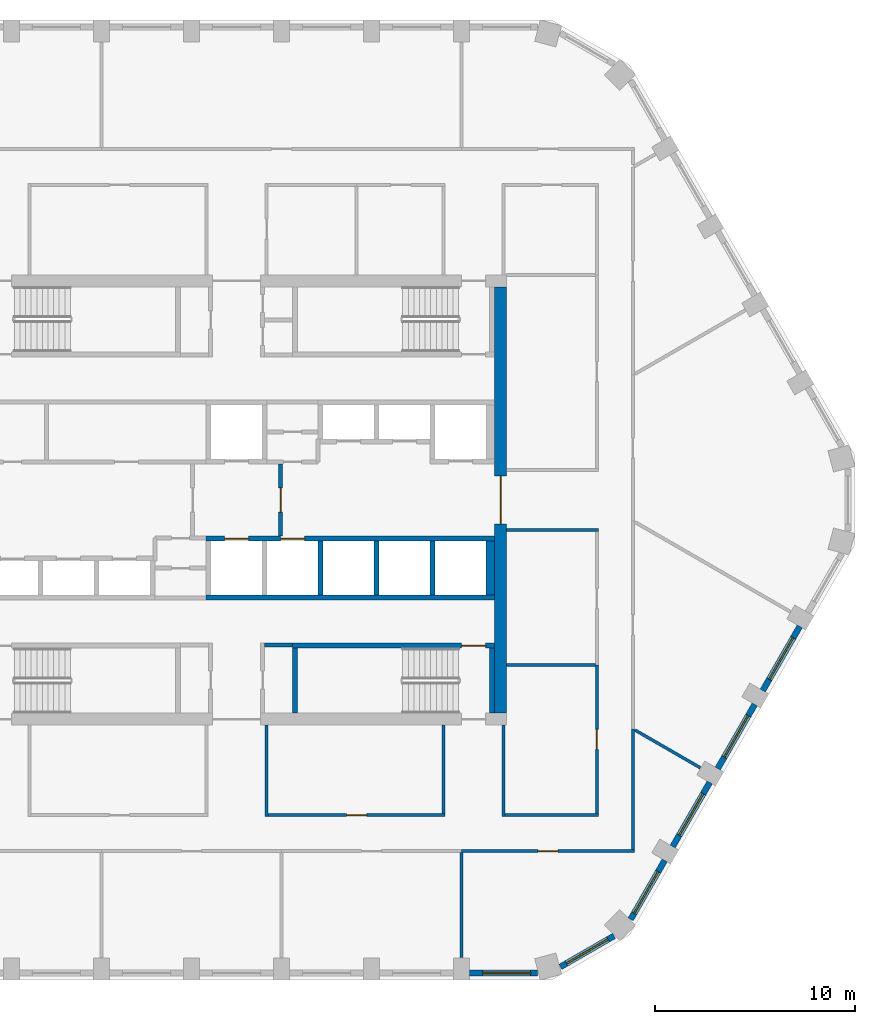
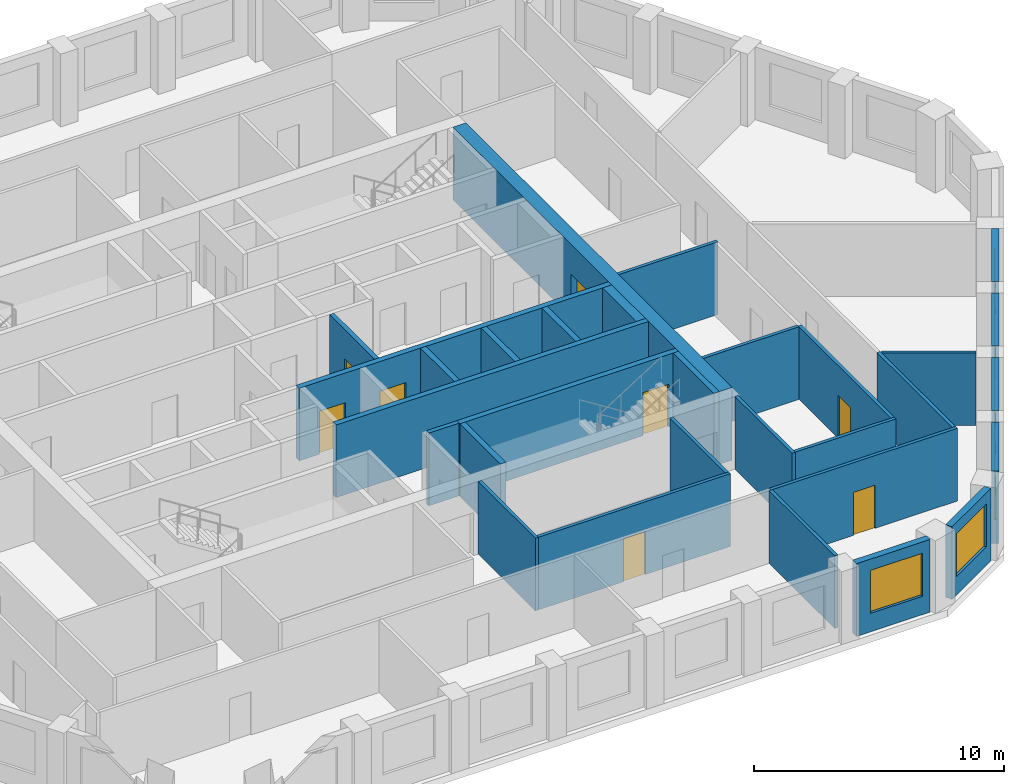
# One storey, part 4 of 9: 30 walls, 8 doors, 6 windows, 14 openings.
"""IFC4 building model written with IfcOpenShell, lengths in metres."""

from ifc_helpers import new_model, si_unit, direction, frame, frame_2d, origin, place, context, subcontext, project, spatial, polyline, rectangle, outline, extrude, material, layer, layer_set, type_object, element, fill, save


model = new_model("IFC4")

# Units and contexts
model_context = context("Model", 3, precision=1e-05, world=origin(), true_north=direction((0.0, 1.0)))
body_context = subcontext(model_context, "Body", "Model", "MODEL_VIEW")
ifc_project = project(units=[si_unit("LENGTHUNIT", "METRE"), si_unit("AREAUNIT", "SQUARE_METRE"), si_unit("VOLUMEUNIT", "CUBIC_METRE"), si_unit("PLANEANGLEUNIT", "RADIAN"), si_unit("MASSUNIT", "GRAM", prefix="KILO")], contexts=[model_context])

# Site, building, storey
site_placement = place(None, origin())
site = spatial("IfcSite", under=ifc_project, at=site_placement, CompositionType="ELEMENT")
building_placement = place(site_placement, origin())
building = spatial("IfcBuilding", under=site, at=building_placement, Name="Dhurran Vertical Campus", CompositionType="ELEMENT")
storey_placement = place(building_placement, frame((0.0, 0.0, 203.39990234375)))
storey = spatial("IfcBuildingStorey", under=building, at=storey_placement, Name="L50", CompositionType="ELEMENT", Elevation=203.39990234375)

# Wall, opening, window
ifc_material_1 = material(Name="Precast concrete C50/60", Category="concrete")
ifc_layer_1 = layer(ifc_material_1, 0.300048828125)
ifc_layer_set_1 = layer_set([ifc_layer_1], Name="Precast concrete C50/60")
wall_type_1 = type_object("IfcWallType", Name="Precast spandrel wall 300", PredefinedType="SOLIDWALL", material=ifc_layer_set_1)
wall_1_placement = place(storey_placement, frame((11.650390625, -23.635498046875, 0.0), z_axis=(0.0, 0.0, 1.0), x_axis=(1.0, 0.0, 0.0)))
wall_1 = element("IfcWall", 1, at=wall_1_placement, inside=storey, type_object=wall_type_1, Name="EW1 L50.06", PredefinedType="SOLIDWALL", context=body_context, shape_type="SweptSolid", body=[
    extrude(rectangle(XDim=3.39599609375, YDim=0.300048828125, at=frame_2d((1.697998046875, 0.0))), origin(), (0.0, 0.0, 1.0), 3.550048828125),
])
opening_1_placement = place(wall_1_placement, frame((0.6494140625, 0.0, 0.89990234375)))
opening_1 = element("IfcOpeningElement", 2, at=opening_1_placement, cuts=wall_1, Name="Opening WT1", PredefinedType="OPENING", context=body_context, shape_type="SweptSolid", body=[
    extrude(rectangle(XDim=2.39990234375, YDim=2.10009765625, at=frame_2d((1.199951171875, 1.050048828125))), frame((0.0, 0.159912109375, 0.0), z_axis=(0.0, -1.0, 0.0), x_axis=(1.0, 0.0, 0.0)), (0.0, 0.0, 1.0), 0.320068359375),
])
ifc_material_2 = material(Name="Aluminium frame with solar-control glass", Category="aluminium")
window_type = type_object("IfcWindowType", Name="Punched window 2400 x 2100", PartitioningType="SINGLE_PANEL", PredefinedType="WINDOW", material=ifc_material_2)
window_1_placement = place(opening_1_placement, origin())
window_1 = element("IfcWindow", 3, at=window_1_placement, inside=storey, type_object=window_type, Name="WT1 L50.06", OverallHeight=2.10009765625, OverallWidth=2.39990234375, PartitioningType="SINGLE_PANEL", PredefinedType="WINDOW", context=body_context, shape_type="SweptSolid", body=[
    extrude(rectangle(XDim=2.39990234375, YDim=2.10009765625, at=frame_2d((1.199951171875, 1.050048828125))), frame((0.0, 0.030029296875, 0.0), z_axis=(0.0, -1.0, 0.0), x_axis=(1.0, 0.0, 0.0)), (0.0, 0.0, 1.0), 0.06005859375),
])
fill(opening_1, window_1)

wall_2_placement = place(storey_placement, frame((16.184326171875, -23.330810546875, 0.0), z_axis=(0.0, 0.0, 1.0), x_axis=(0.865994975416, 0.500052699777, 0.0)))
wall_2 = element("IfcWall", 4, at=wall_2_placement, inside=storey, type_object=wall_type_1, Name="EW1 L50.07", PredefinedType="SOLIDWALL", context=body_context, shape_type="SweptSolid", body=[
    extrude(rectangle(XDim=3.093017578125, YDim=0.300048828125, at=frame_2d((1.54638671875, 0.0))), origin(), (0.0, 0.0, 1.0), 3.550048828125),
])
opening_2_placement = place(wall_2_placement, frame((0.346435546875, 0.0, 0.89990234375)))
opening_2 = element("IfcOpeningElement", 5, at=opening_2_placement, cuts=wall_2, Name="Opening WT1", PredefinedType="OPENING", context=body_context, shape_type="SweptSolid", body=[
    extrude(rectangle(XDim=2.39990234375, YDim=2.10009765625, at=frame_2d((1.199951171875, 1.050048828125))), frame((0.0, 0.159912109375, 0.0), z_axis=(0.0, -1.0, 0.0), x_axis=(1.0, 0.0, 0.0)), (0.0, 0.0, 1.0), 0.320068359375),
])
window_2_placement = place(opening_2_placement, origin())
window_2 = element("IfcWindow", 6, at=window_2_placement, inside=storey, type_object=window_type, Name="WT1 L50.07", OverallHeight=2.10009765625, OverallWidth=2.39990234375, PartitioningType="SINGLE_PANEL", PredefinedType="WINDOW", context=body_context, shape_type="SweptSolid", body=[
    extrude(rectangle(XDim=2.39990234375, YDim=2.10009765625, at=frame_2d((1.199951171875, 1.050048828125))), frame((0.0, 0.030029296875, 0.0), z_axis=(0.0, -1.0, 0.0), x_axis=(1.0, 0.0, 0.0)), (0.0, 0.0, 1.0), 0.06005859375),
])
fill(opening_2, window_2)

wall_3_placement = place(storey_placement, frame((19.69580078125, -20.951171875, 0.0), z_axis=(0.0, 0.0, 1.0), x_axis=(0.500012868213, 0.866017974191, 0.0)))
wall_3 = element("IfcWall", 7, at=wall_3_placement, inside=storey, type_object=wall_type_1, Name="EW1 L50.08", PredefinedType="SOLIDWALL", context=body_context, shape_type="SweptSolid", body=[
    extrude(rectangle(XDim=3.39599609375, YDim=0.300048828125, at=frame_2d((1.697998046875, 0.0))), origin(), (0.0, 0.0, 1.0), 3.550048828125),
])
opening_3_placement = place(wall_3_placement, frame((0.346435546875, 0.0, 0.89990234375)))
opening_3 = element("IfcOpeningElement", 8, at=opening_3_placement, cuts=wall_3, Name="Opening WT1", PredefinedType="OPENING", context=body_context, shape_type="SweptSolid", body=[
    extrude(rectangle(XDim=2.39990234375, YDim=2.10009765625, at=frame_2d((1.199951171875, 1.050048828125))), frame((0.0, 0.159912109375, 0.0), z_axis=(0.0, -1.0, 0.0), x_axis=(1.0, 0.0, 0.0)), (0.0, 0.0, 1.0), 0.320068359375),
])
window_3_placement = place(opening_3_placement, origin())
window_3 = element("IfcWindow", 9, at=window_3_placement, inside=storey, type_object=window_type, Name="WT1 L50.08", OverallHeight=2.10009765625, OverallWidth=2.39990234375, PartitioningType="SINGLE_PANEL", PredefinedType="WINDOW", context=body_context, shape_type="SweptSolid", body=[
    extrude(rectangle(XDim=2.39990234375, YDim=2.10009765625, at=frame_2d((1.199951171875, 1.050048828125))), frame((0.0, 0.030029296875, 0.0), z_axis=(0.0, -1.0, 0.0), x_axis=(1.0, 0.0, 0.0)), (0.0, 0.0, 1.0), 0.06005859375),
])
fill(opening_3, window_3)

wall_4_placement = place(storey_placement, frame((21.794189453125, -17.316650390625, 0.0), z_axis=(0.0, 0.0, 1.0), x_axis=(0.500029062817, 0.866008623709, 0.0)))
wall_4 = element("IfcWall", 10, at=wall_4_placement, inside=storey, type_object=wall_type_1, Name="EW1 L50.09", PredefinedType="SOLIDWALL", context=body_context, shape_type="SweptSolid", body=[
    extrude(rectangle(XDim=3.698974609375, YDim=0.300048828125, at=frame_2d((1.849609375, 0.0))), origin(), (0.0, 0.0, 1.0), 3.550048828125),
])
opening_4_placement = place(wall_4_placement, frame((0.6494140625, 0.0, 0.89990234375)))
opening_4 = element("IfcOpeningElement", 11, at=opening_4_placement, cuts=wall_4, Name="Opening WT1", PredefinedType="OPENING", context=body_context, shape_type="SweptSolid", body=[
    extrude(rectangle(XDim=2.39990234375, YDim=2.10009765625, at=frame_2d((1.199951171875, 1.050048828125))), frame((0.0, 0.159912109375, 0.0), z_axis=(0.0, -1.0, 0.0), x_axis=(1.0, 0.0, 0.0)), (0.0, 0.0, 1.0), 0.320068359375),
])
window_4_placement = place(opening_4_placement, origin())
window_4 = element("IfcWindow", 12, at=window_4_placement, inside=storey, type_object=window_type, Name="WT1 L50.09", OverallHeight=2.10009765625, OverallWidth=2.39990234375, PartitioningType="SINGLE_PANEL", PredefinedType="WINDOW", context=body_context, shape_type="SweptSolid", body=[
    extrude(rectangle(XDim=2.39990234375, YDim=2.10009765625, at=frame_2d((1.199951171875, 1.050048828125))), frame((0.0, 0.030029296875, 0.0), z_axis=(0.0, -1.0, 0.0), x_axis=(1.0, 0.0, 0.0)), (0.0, 0.0, 1.0), 0.06005859375),
])
fill(opening_4, window_4)

wall_5_placement = place(storey_placement, frame((24.044189453125, -13.41943359375, 0.0), z_axis=(0.0, 0.0, 1.0), x_axis=(0.500029062817, 0.866008623709, 0.0)))
wall_5 = element("IfcWall", 13, at=wall_5_placement, inside=storey, type_object=wall_type_1, Name="EW1 L50.10", PredefinedType="SOLIDWALL", context=body_context, shape_type="SweptSolid", body=[
    extrude(rectangle(XDim=3.698974609375, YDim=0.300048828125, at=frame_2d((1.849609375, 0.0))), origin(), (0.0, 0.0, 1.0), 3.550048828125),
])
opening_5_placement = place(wall_5_placement, frame((0.6494140625, 0.0, 0.89990234375)))
opening_5 = element("IfcOpeningElement", 14, at=opening_5_placement, cuts=wall_5, Name="Opening WT1", PredefinedType="OPENING", context=body_context, shape_type="SweptSolid", body=[
    extrude(rectangle(XDim=2.39990234375, YDim=2.10009765625, at=frame_2d((1.199951171875, 1.050048828125))), frame((0.0, 0.159912109375, 0.0), z_axis=(0.0, -1.0, 0.0), x_axis=(1.0, 0.0, 0.0)), (0.0, 0.0, 1.0), 0.320068359375),
])
window_5_placement = place(opening_5_placement, origin())
window_5 = element("IfcWindow", 15, at=window_5_placement, inside=storey, type_object=window_type, Name="WT1 L50.10", OverallHeight=2.10009765625, OverallWidth=2.39990234375, PartitioningType="SINGLE_PANEL", PredefinedType="WINDOW", context=body_context, shape_type="SweptSolid", body=[
    extrude(rectangle(XDim=2.39990234375, YDim=2.10009765625, at=frame_2d((1.199951171875, 1.050048828125))), frame((0.0, 0.030029296875, 0.0), z_axis=(0.0, -1.0, 0.0), x_axis=(1.0, 0.0, 0.0)), (0.0, 0.0, 1.0), 0.06005859375),
])
fill(opening_5, window_5)

wall_6_placement = place(storey_placement, frame((26.294189453125, -9.5224609375, 0.0), z_axis=(0.0, 0.0, 1.0), x_axis=(0.500029062817, 0.866008623709, 0.0)))
wall_6 = element("IfcWall", 16, at=wall_6_placement, inside=storey, type_object=wall_type_1, Name="EW1 L50.11", PredefinedType="SOLIDWALL", context=body_context, shape_type="SweptSolid", body=[
    extrude(rectangle(XDim=3.698974609375, YDim=0.300048828125, at=frame_2d((1.849609375, 0.0))), origin(), (0.0, 0.0, 1.0), 3.550048828125),
])
opening_6_placement = place(wall_6_placement, frame((0.6494140625, 0.0, 0.89990234375)))
opening_6 = element("IfcOpeningElement", 17, at=opening_6_placement, cuts=wall_6, Name="Opening WT1", PredefinedType="OPENING", context=body_context, shape_type="SweptSolid", body=[
    extrude(rectangle(XDim=2.39990234375, YDim=2.10009765625, at=frame_2d((1.199951171875, 1.050048828125))), frame((0.0, 0.159912109375, 0.0), z_axis=(0.0, -1.0, 0.0), x_axis=(1.0, 0.0, 0.0)), (0.0, 0.0, 1.0), 0.320068359375),
])
window_6_placement = place(opening_6_placement, origin())
window_6 = element("IfcWindow", 18, at=window_6_placement, inside=storey, type_object=window_type, Name="WT1 L50.11", OverallHeight=2.10009765625, OverallWidth=2.39990234375, PartitioningType="SINGLE_PANEL", PredefinedType="WINDOW", context=body_context, shape_type="SweptSolid", body=[
    extrude(rectangle(XDim=2.39990234375, YDim=2.10009765625, at=frame_2d((1.199951171875, 1.050048828125))), frame((0.0, 0.030029296875, 0.0), z_axis=(0.0, -1.0, 0.0), x_axis=(1.0, 0.0, 0.0)), (0.0, 0.0, 1.0), 0.06005859375),
])
fill(opening_6, window_6)

# Wall, opening, door
ifc_material_3 = material(Name="Concrete C50/60", Category="concrete")
ifc_layer_2 = layer(ifc_material_3, 0.60009765625)
ifc_layer_set_2 = layer_set([ifc_layer_2], Name="Concrete C50/60")
wall_type_2 = type_object("IfcWallType", Name="co-CORE-WALL-C2-600", PredefinedType="SHEAR", material=ifc_layer_set_2)
wall_7_placement = place(storey_placement, frame((13.199951171875, -10.64990234375, 0.0), z_axis=(0.0, 0.0, 1.0), x_axis=(0.0, 1.0, 0.0)))
wall_7 = element("IfcWall", 19, at=wall_7_placement, inside=storey, type_object=wall_type_2, Name="Core wall E L50", PredefinedType="SHEAR", context=body_context, shape_type="SweptSolid", body=[
    extrude(rectangle(XDim=21.2998046875, YDim=0.60009765625, at=frame_2d((10.64990234375, 0.0))), origin(), (0.0, 0.0, 1.0), 3.550048828125),
])
opening_7_placement = place(wall_7_placement, frame((9.449951171875, 0.0, 0.0)))
opening_7 = element("IfcOpeningElement", 20, at=opening_7_placement, cuts=wall_7, Name="Opening CL2", PredefinedType="OPENING", context=body_context, shape_type="SweptSolid", body=[
    extrude(rectangle(XDim=2.39990234375, YDim=2.10009765625, at=frame_2d((1.199951171875, 1.050048828125))), frame((0.0, 0.31005859375, 0.0), z_axis=(0.0, -1.0, 0.0), x_axis=(1.0, 0.0, 0.0)), (0.0, 0.0, 1.0), 0.6201171875),
])
ifc_material_4 = material(Name="Fire-rated glazed door set")
door_type_1 = type_object("IfcDoorType", Name="co-D-LOBBY 2400x2100", OperationType="DOUBLE_DOOR_DOUBLE_SWING", PredefinedType="DOOR", material=ifc_material_4)
door_1_placement = place(opening_7_placement, origin())
door_1 = element("IfcDoor", 21, at=door_1_placement, inside=storey, type_object=door_type_1, Name="Lift lobby door E L50", OperationType="DOUBLE_DOOR_DOUBLE_SWING", OverallHeight=2.10009765625, OverallWidth=2.39990234375, PredefinedType="DOOR", context=body_context, shape_type="SweptSolid", body=[
    extrude(rectangle(XDim=2.39990234375, YDim=2.10009765625, at=frame_2d((1.199951171875, 1.050048828125))), frame((0.0, 0.02490234375, 0.0), z_axis=(0.0, -1.0, 0.0), x_axis=(1.0, 0.0, 0.0)), (0.0, 0.0, 1.0), 0.050048828125),
])
fill(opening_7, door_1)

ifc_material_5 = material(Name="Fire-rated masonry blockwork", Category="masonry")
ifc_layer_3 = layer(ifc_material_5, 0.199951171875)
ifc_layer_set_3 = layer_set([ifc_layer_3], Name="Fire-rated masonry blockwork")
wall_type_3 = type_object("IfcWallType", Name="co-FIRE-PARTITION-200", PredefinedType="PARTITIONING", material=ifc_layer_set_3)
wall_8_placement = place(storey_placement, frame((2.199951171875, -1.800048828125, 0.0), z_axis=(0.0, 0.0, 1.0), x_axis=(0.0, 1.0, 0.0)))
wall_8 = element("IfcWall", 22, at=wall_8_placement, inside=storey, type_object=wall_type_3, Name="Firefighting lobby wall E L50", PredefinedType="PARTITIONING", context=body_context, shape_type="SweptSolid", body=[
    extrude(rectangle(XDim=3.60009765625, YDim=0.199951171875, at=frame_2d((1.800048828125, 0.0))), origin(), (0.0, 0.0, 1.0), 3.550048828125),
])
opening_8_placement = place(wall_8_placement, frame((1.199951171875, 0.0, 0.0)))
opening_8 = element("IfcOpeningElement", 23, at=opening_8_placement, cuts=wall_8, Name="Opening FL2", PredefinedType="OPENING", context=body_context, shape_type="SweptSolid", body=[
    extrude(rectangle(XDim=1.199951171875, YDim=2.10009765625, at=frame_2d((0.60009765625, 1.050048828125))), frame((0.0, 0.10986328125, 0.0), z_axis=(0.0, -1.0, 0.0), x_axis=(1.0, 0.0, 0.0)), (0.0, 0.0, 1.0), 0.219970703125),
])
ifc_material_6 = material(Name="Fire-rated steel door set", Category="steel")
door_type_2 = type_object("IfcDoorType", Name="co-D-FFLOBBY 1200x2100", OperationType="SINGLE_SWING_LEFT", PredefinedType="DOOR", material=ifc_material_6)
door_2_placement = place(opening_8_placement, origin())
door_2 = element("IfcDoor", 24, at=door_2_placement, inside=storey, type_object=door_type_2, Name="Firefighting lobby door E L50", OperationType="SINGLE_SWING_LEFT", OverallHeight=2.10009765625, OverallWidth=1.199951171875, PredefinedType="DOOR", context=body_context, shape_type="SweptSolid", body=[
    extrude(rectangle(XDim=1.199951171875, YDim=2.10009765625, at=frame_2d((0.60009765625, 1.050048828125))), frame((0.0, 0.02490234375, 0.0), z_axis=(0.0, -1.0, 0.0), x_axis=(1.0, 0.0, 0.0)), (0.0, 0.0, 1.0), 0.050048828125),
])
fill(opening_8, door_2)

# Wall
wall_9_placement = place(storey_placement, frame((1.39990234375, -7.25, 0.0), z_axis=(0.0, 0.0, 1.0), x_axis=(1.0, 0.0, 0.0)))
element("IfcWall", 25, at=wall_9_placement, inside=storey, type_object=wall_type_3, Name="Core partition sl-SE-S L50", PredefinedType="PARTITIONING", context=body_context, shape_type="SweptSolid", body=[
    extrude(rectangle(XDim=1.400146484375, YDim=0.199951171875, at=frame_2d((0.7001953125, 0.0))), origin(), (0.0, 0.0, 1.0), 3.550048828125),
])

# Wall, openings, doors
ifc_material_7 = material(Name="Concrete C50/60", Category="concrete")
ifc_layer_4 = layer(ifc_material_7, 0.25)
ifc_layer_set_4 = layer_set([ifc_layer_4], Name="Concrete C50/60")
wall_type_4 = type_object("IfcWallType", Name="co-SHAFT-FRONT-250", PredefinedType="SHEAR", material=ifc_layer_set_4)
wall_10_placement = place(storey_placement, frame((-1.52490234375, -1.925048828125, 0.0), z_axis=(0.0, 0.0, 1.0), x_axis=(1.0, 0.0, 0.0)))
wall_10 = element("IfcWall", 26, at=wall_10_placement, inside=storey, type_object=wall_type_4, Name="Lift landing wall S L50", PredefinedType="SHEAR", context=body_context, shape_type="SweptSolid", body=[
    extrude(rectangle(XDim=14.4248046875, YDim=0.25, at=frame_2d((7.21240234375, 0.0))), origin(), (0.0, 0.0, 1.0), 3.550048828125),
])
opening_9_placement = place(wall_10_placement, frame((0.925048828125, 0.0, 0.0)))
opening_9 = element("IfcOpeningElement", 27, at=opening_9_placement, cuts=wall_10, Name="Opening LD", PredefinedType="OPENING", context=body_context, shape_type="SweptSolid", body=[
    extrude(rectangle(XDim=1.199951171875, YDim=2.10009765625, at=frame_2d((0.60009765625, 1.050048828125))), frame((0.0, 0.135009765625, 0.0), z_axis=(0.0, -1.0, 0.0), x_axis=(1.0, 0.0, 0.0)), (0.0, 0.0, 1.0), 0.27001953125),
])
opening_10_placement = place(wall_10_placement, frame((3.72509765625, 0.0, 0.0)))
opening_10 = element("IfcOpeningElement", 28, at=opening_10_placement, cuts=wall_10, Name="Opening LD", PredefinedType="OPENING", context=body_context, shape_type="SweptSolid", body=[
    extrude(rectangle(XDim=1.199951171875, YDim=2.10009765625, at=frame_2d((0.60009765625, 1.050048828125))), frame((0.0, 0.135009765625, 0.0), z_axis=(0.0, -1.0, 0.0), x_axis=(1.0, 0.0, 0.0)), (0.0, 0.0, 1.0), 0.27001953125),
])
ifc_material_8 = material(Name="Stainless steel landing door", Category="steel")
door_type_3 = type_object("IfcDoorType", Name="co-D-LANDING 1200x2100", OperationType="DOUBLE_DOOR_SLIDING", PredefinedType="DOOR", material=ifc_material_8)
door_3_placement = place(opening_9_placement, origin())
door_3 = element("IfcDoor", 29, at=door_3_placement, inside=storey, type_object=door_type_3, Name="Landing door FF2 L50", OperationType="DOUBLE_DOOR_SLIDING", OverallHeight=2.10009765625, OverallWidth=1.199951171875, PredefinedType="DOOR", context=body_context, shape_type="SweptSolid", body=[
    extrude(rectangle(XDim=1.199951171875, YDim=2.10009765625, at=frame_2d((0.60009765625, 1.050048828125))), frame((0.0, 0.02490234375, 0.0), z_axis=(0.0, -1.0, 0.0), x_axis=(1.0, 0.0, 0.0)), (0.0, 0.0, 1.0), 0.050048828125),
])
fill(opening_9, door_3)
door_4_placement = place(opening_10_placement, origin())
door_4 = element("IfcDoor", 30, at=door_4_placement, inside=storey, type_object=door_type_3, Name="Landing door SV1 L50", OperationType="DOUBLE_DOOR_SLIDING", OverallHeight=2.10009765625, OverallWidth=1.199951171875, PredefinedType="DOOR", context=body_context, shape_type="SweptSolid", body=[
    extrude(rectangle(XDim=1.199951171875, YDim=2.10009765625, at=frame_2d((0.60009765625, 1.050048828125))), frame((0.0, 0.02490234375, 0.0), z_axis=(0.0, -1.0, 0.0), x_axis=(1.0, 0.0, 0.0)), (0.0, 0.0, 1.0), 0.050048828125),
])
fill(opening_10, door_4)

# Walls
ifc_material_9 = material(Name="Concrete C50/60", Category="concrete")
ifc_layer_5 = layer(ifc_material_9, 0.25)
ifc_layer_set_5 = layer_set([ifc_layer_5], Name="Concrete C50/60")
wall_type_5 = type_object("IfcWallType", Name="co-SHAFT-MASS-250", PredefinedType="SHEAR", material=ifc_layer_set_5)
wall_11_placement = place(storey_placement, origin())
element("IfcWall", 31, at=wall_11_placement, inside=storey, type_object=wall_type_5, Name="Lift shaft wall S L50 2", PredefinedType="SHEAR", context=body_context, shape_type="SweptSolid", body=[
    extrude(outline(polyline([(-1.52490234375, -5.0), (12.89990234375, -5.0), (12.89990234375, -4.75), (-1.52490234375, -4.75), (-1.52490234375, -5.0)])), origin(), (0.0, 0.0, 1.0), 3.550048828125),
])
wall_12_placement = place(storey_placement, origin())
element("IfcWall", 32, at=wall_12_placement, inside=storey, type_object=wall_type_5, Name="Lift shaft wall S L50 9", PredefinedType="SHEAR", context=body_context, shape_type="SweptSolid", body=[
    extrude(outline(polyline([(4.074951171875, -4.75), (4.324951171875, -4.75), (4.324951171875, -2.050048828125), (4.074951171875, -2.050048828125), (4.074951171875, -4.75)])), origin(), (0.0, 0.0, 1.0), 3.550048828125),
])
wall_13_placement = place(storey_placement, origin())
element("IfcWall", 33, at=wall_13_placement, inside=storey, type_object=wall_type_5, Name="Lift shaft wall S L50 10", PredefinedType="SHEAR", context=body_context, shape_type="SweptSolid", body=[
    extrude(outline(polyline([(6.875, -4.75), (7.125, -4.75), (7.125, -2.050048828125), (6.875, -2.050048828125), (6.875, -4.75)])), origin(), (0.0, 0.0, 1.0), 3.550048828125),
])
wall_14_placement = place(storey_placement, origin())
element("IfcWall", 34, at=wall_14_placement, inside=storey, type_object=wall_type_5, Name="Lift shaft wall S L50 11", PredefinedType="SHEAR", context=body_context, shape_type="SweptSolid", body=[
    extrude(outline(polyline([(9.675048828125, -4.75), (9.925048828125, -4.75), (9.925048828125, -2.050048828125), (9.675048828125, -2.050048828125), (9.675048828125, -4.75)])), origin(), (0.0, 0.0, 1.0), 3.550048828125),
])
wall_15_placement = place(storey_placement, origin())
element("IfcWall", 35, at=wall_15_placement, inside=storey, type_object=wall_type_5, Name="Lift shaft wall S L50 12", PredefinedType="SHEAR", context=body_context, shape_type="SweptSolid", body=[
    extrude(outline(polyline([(12.47509765625, -4.75), (12.89990234375, -4.75), (12.89990234375, -2.050048828125), (12.47509765625, -2.050048828125), (12.47509765625, -4.75)])), origin(), (0.0, 0.0, 1.0), 3.550048828125),
])

# Wall, opening, door
ifc_material_10 = material(Name="Concrete C40/50", Category="concrete")
ifc_layer_6 = layer(ifc_material_10, 0.25)
ifc_layer_set_6 = layer_set([ifc_layer_6], Name="Concrete C40/50")
wall_type_6 = type_object("IfcWallType", Name="co-STAIR-WALL-250", PredefinedType="SHEAR", material=ifc_layer_set_6)
wall_16_placement = place(storey_placement, frame((2.800048828125, -7.27490234375, 0.0), z_axis=(0.0, 0.0, 1.0), x_axis=(1.0, 0.0, 0.0)))
wall_16 = element("IfcWall", 36, at=wall_16_placement, inside=storey, type_object=wall_type_6, Name="Stair ST4 enclosure wall L50", PredefinedType="SHEAR", context=body_context, shape_type="SweptSolid", body=[
    extrude(rectangle(XDim=10.099853515625, YDim=0.25, at=frame_2d((5.0498046875, 0.0))), origin(), (0.0, 0.0, 1.0), 3.550048828125),
])
opening_11_placement = place(wall_16_placement, frame((8.449951171875, 0.0, 0.0)))
opening_11 = element("IfcOpeningElement", 37, at=opening_11_placement, cuts=wall_16, Name="Opening SD4", PredefinedType="OPENING", context=body_context, shape_type="SweptSolid", body=[
    extrude(rectangle(XDim=1.199951171875, YDim=2.10009765625, at=frame_2d((0.60009765625, 1.050048828125))), frame((0.0, 0.135009765625, 0.0), z_axis=(0.0, -1.0, 0.0), x_axis=(1.0, 0.0, 0.0)), (0.0, 0.0, 1.0), 0.27001953125),
])
ifc_material_11 = material(Name="Fire-rated steel door set", Category="steel")
door_type_4 = type_object("IfcDoorType", Name="co-D-STAIR 1200x2100", OperationType="SINGLE_SWING_LEFT", PredefinedType="DOOR", material=ifc_material_11)
door_5_placement = place(opening_11_placement, origin())
door_5 = element("IfcDoor", 38, at=door_5_placement, inside=storey, type_object=door_type_4, Name="Stair ST4 door L50", OperationType="SINGLE_SWING_LEFT", OverallHeight=2.10009765625, OverallWidth=1.199951171875, PredefinedType="DOOR", context=body_context, shape_type="SweptSolid", body=[
    extrude(rectangle(XDim=1.199951171875, YDim=2.10009765625, at=frame_2d((0.60009765625, 1.050048828125))), frame((0.0, 0.02490234375, 0.0), z_axis=(0.0, -1.0, 0.0), x_axis=(1.0, 0.0, 0.0)), (0.0, 0.0, 1.0), 0.050048828125),
])
fill(opening_11, door_5)

# Walls
for number, where, z_axis, x_axis, name in (
    (39, (2.925048828125, -10.64990234375, 0.0), (0.0, 0.0, 1.0), (0.0, 1.0, 0.0), "Stair ST4 enclosure wall L50"),
    (40, (12.77490234375, -10.64990234375, 0.0), (0.0, 0.0, 1.0), (0.0, 1.0, 0.0), "Stair ST4 enclosure wall L50"),
):
    element("IfcWall", number, at=place(storey_placement, frame(where, z_axis=z_axis, x_axis=x_axis)), inside=storey, type_object=wall_type_6, Name=name, PredefinedType="SHEAR", context=body_context, shape_type="SweptSolid", body=[
        extrude(rectangle(XDim=3.25, YDim=0.25, at=frame_2d((1.625, 0.0))), origin(), (0.0, 0.0, 1.0), 3.550048828125),
    ])
ifc_material_12 = material(Name="Gypsum board corridor wall on steel studs", Category="steel")
ifc_layer_7 = layer(ifc_material_12, 0.14990234375)
ifc_layer_set_7 = layer_set([ifc_layer_7], Name="Gypsum board corridor wall on steel studs")
wall_type_7 = type_object("IfcWallType", Name="fl-CW-150 corridor wall", PredefinedType="PARTITIONING", material=ifc_layer_set_7)
wall_17_placement = place(storey_placement, frame((1.5, -15.824951171875, 0.0), z_axis=(0.0, 0.0, 1.0), x_axis=(0.0, 1.0, 0.0)))
element("IfcWall", 41, at=wall_17_placement, inside=storey, type_object=wall_type_7, Name="Partition 50-36", PredefinedType="PARTITIONING", context=body_context, shape_type="SweptSolid", body=[
    extrude(rectangle(XDim=4.574951171875, YDim=0.14990234375, at=frame_2d((2.28759765625, 0.0))), origin(), (0.0, 0.0, 1.0), 3.550048828125),
])

# Wall, opening, door
wall_18_placement = place(storey_placement, frame((10.425048828125, -15.75, 0.0), z_axis=(0.0, 0.0, 1.0), x_axis=(-1.0, 0.0, 0.0)))
wall_18 = element("IfcWall", 42, at=wall_18_placement, inside=storey, type_object=wall_type_7, Name="Partition 50-37", PredefinedType="PARTITIONING", context=body_context, shape_type="SweptSolid", body=[
    extrude(rectangle(XDim=8.85009765625, YDim=0.14990234375, at=frame_2d((4.425048828125, 0.0))), origin(), (0.0, 0.0, 1.0), 3.550048828125),
])
opening_12_placement = place(wall_18_placement, frame((3.925048828125, 0.0, 0.0)))
opening_12 = element("IfcOpeningElement", 43, at=opening_12_placement, cuts=wall_18, Name="Opening T14.16", PredefinedType="OPENING", context=body_context, shape_type="SweptSolid", body=[
    extrude(rectangle(XDim=1.0, YDim=2.10009765625, at=frame_2d((0.5, 1.050048828125))), frame((0.0, 0.0849609375, 0.0), z_axis=(0.0, -1.0, 0.0), x_axis=(1.0, 0.0, 0.0)), (0.0, 0.0, 1.0), 0.169921875),
])
ifc_material_13 = material(Name="Solid-core timber door set, fire-rated", Category="wood")
door_type_5 = type_object("IfcDoorType", Name="fl-D-1000x2100", OperationType="SINGLE_SWING_LEFT", PredefinedType="DOOR", material=ifc_material_13)
door_6_placement = place(opening_12_placement, origin())
door_6 = element("IfcDoor", 44, at=door_6_placement, inside=storey, type_object=door_type_5, Name="Door 50.16", OperationType="SINGLE_SWING_RIGHT", OverallHeight=2.10009765625, OverallWidth=1.0, PredefinedType="DOOR", context=body_context, shape_type="SweptSolid", body=[
    extrude(rectangle(XDim=1.0, YDim=2.10009765625, at=frame_2d((0.5, 1.050048828125))), frame((0.0, 0.02490234375, 0.0), z_axis=(0.0, -1.0, 0.0), x_axis=(1.0, 0.0, 0.0)), (0.0, 0.0, 1.0), 0.050048828125),
])
fill(opening_12, door_6)

# Wall
wall_19_placement = place(storey_placement, frame((10.35009765625, -11.25, 0.0), z_axis=(0.0, 0.0, 1.0), x_axis=(0.0, -1.0, 0.0)))
element("IfcWall", 45, at=wall_19_placement, inside=storey, type_object=wall_type_7, Name="Partition 50-44", PredefinedType="PARTITIONING", context=body_context, shape_type="SweptSolid", body=[
    extrude(rectangle(XDim=4.425048828125, YDim=0.14990234375, at=frame_2d((2.21240234375, 0.0))), origin(), (0.0, 0.0, 1.0), 3.550048828125),
])

# Wall, opening, door
wall_20_placement = place(storey_placement, frame((11.25, -17.550048828125, 0.0), z_axis=(0.0, 0.0, 1.0), x_axis=(1.0, 0.0, 0.0)))
wall_20 = element("IfcWall", 46, at=wall_20_placement, inside=storey, type_object=wall_type_7, Name="Partition 50-47", PredefinedType="PARTITIONING", context=body_context, shape_type="SweptSolid", body=[
    extrude(rectangle(XDim=8.625, YDim=0.14990234375, at=frame_2d((4.3125, 0.0))), origin(), (0.0, 0.0, 1.0), 3.550048828125),
])
opening_13_placement = place(wall_20_placement, frame((3.8125, 0.0, 0.0)))
opening_13 = element("IfcOpeningElement", 47, at=opening_13_placement, cuts=wall_20, Name="Opening T14.24", PredefinedType="OPENING", context=body_context, shape_type="SweptSolid", body=[
    extrude(rectangle(XDim=1.0, YDim=2.10009765625, at=frame_2d((0.5, 1.050048828125))), frame((0.0, 0.0849609375, 0.0), z_axis=(0.0, -1.0, 0.0), x_axis=(1.0, 0.0, 0.0)), (0.0, 0.0, 1.0), 0.169921875),
])
door_7_placement = place(opening_13_placement, origin())
door_7 = element("IfcDoor", 48, at=door_7_placement, inside=storey, type_object=door_type_5, Name="Door 50.24", OperationType="SINGLE_SWING_RIGHT", OverallHeight=2.10009765625, OverallWidth=1.0, PredefinedType="DOOR", context=body_context, shape_type="SweptSolid", body=[
    extrude(rectangle(XDim=1.0, YDim=2.10009765625, at=frame_2d((0.5, 1.050048828125))), frame((0.0, 0.02490234375, 0.0), z_axis=(0.0, -1.0, 0.0), x_axis=(1.0, 0.0, 0.0)), (0.0, 0.0, 1.0), 0.050048828125),
])
fill(opening_13, door_7)

# Walls
wall_21_placement = place(storey_placement, frame((13.35009765625, -15.824951171875, 0.0), z_axis=(0.0, 0.0, 1.0), x_axis=(0.0, 1.0, 0.0)))
element("IfcWall", 49, at=wall_21_placement, inside=storey, type_object=wall_type_7, Name="Partition 50-50", PredefinedType="PARTITIONING", context=body_context, shape_type="SweptSolid", body=[
    extrude(rectangle(XDim=4.574951171875, YDim=0.14990234375, at=frame_2d((2.28759765625, 0.0))), origin(), (0.0, 0.0, 1.0), 3.550048828125),
])
wall_22_placement = place(storey_placement, frame((18.074951171875, -15.75, 0.0), z_axis=(0.0, 0.0, 1.0), x_axis=(-1.0, 0.0, 0.0)))
element("IfcWall", 50, at=wall_22_placement, inside=storey, type_object=wall_type_7, Name="Partition 50-51", PredefinedType="PARTITIONING", context=body_context, shape_type="SweptSolid", body=[
    extrude(rectangle(XDim=4.64990234375, YDim=0.14990234375, at=frame_2d((2.324951171875, 0.0))), origin(), (0.0, 0.0, 1.0), 3.550048828125),
])
wall_23_placement = place(storey_placement, frame((13.5, -1.5, 0.0), z_axis=(0.0, 0.0, 1.0), x_axis=(1.0, 0.0, 0.0)))
element("IfcWall", 51, at=wall_23_placement, inside=storey, type_object=wall_type_7, Name="Partition 50-55", PredefinedType="PARTITIONING", context=body_context, shape_type="SweptSolid", body=[
    extrude(rectangle(XDim=4.574951171875, YDim=0.14990234375, at=frame_2d((2.28759765625, 0.0))), origin(), (0.0, 0.0, 1.0), 3.550048828125),
])

# Wall, opening, door
wall_24_placement = place(storey_placement, frame((18.0, -8.25, 0.0), z_axis=(0.0, 0.0, 1.0), x_axis=(0.0, -1.0, 0.0)))
wall_24 = element("IfcWall", 52, at=wall_24_placement, inside=storey, type_object=wall_type_7, Name="Partition 50-58", PredefinedType="PARTITIONING", context=body_context, shape_type="SweptSolid", body=[
    extrude(rectangle(XDim=7.425048828125, YDim=0.14990234375, at=frame_2d((3.71240234375, 0.0))), origin(), (0.0, 0.0, 1.0), 3.550048828125),
])
opening_14_placement = place(wall_24_placement, frame((3.21240234375, 0.0, 0.0)))
opening_14 = element("IfcOpeningElement", 53, at=opening_14_placement, cuts=wall_24, Name="Opening T14.21", PredefinedType="OPENING", context=body_context, shape_type="SweptSolid", body=[
    extrude(rectangle(XDim=1.0, YDim=2.10009765625, at=frame_2d((0.5, 1.050048828125))), frame((0.0, 0.0849609375, 0.0), z_axis=(0.0, -1.0, 0.0), x_axis=(1.0, 0.0, 0.0)), (0.0, 0.0, 1.0), 0.169921875),
])
door_8_placement = place(opening_14_placement, origin())
door_8 = element("IfcDoor", 54, at=door_8_placement, inside=storey, type_object=door_type_5, Name="Door 50.21", OperationType="SINGLE_SWING_RIGHT", OverallHeight=2.10009765625, OverallWidth=1.0, PredefinedType="DOOR", context=body_context, shape_type="SweptSolid", body=[
    extrude(rectangle(XDim=1.0, YDim=2.10009765625, at=frame_2d((0.5, 1.050048828125))), frame((0.0, 0.02490234375, 0.0), z_axis=(0.0, -1.0, 0.0), x_axis=(1.0, 0.0, 0.0)), (0.0, 0.0, 1.0), 0.050048828125),
])
fill(opening_14, door_8)

# Walls
wall_25_placement = place(storey_placement, frame((19.800048828125, -17.47509765625, 0.0), z_axis=(0.0, 0.0, 1.0), x_axis=(0.0, 1.0, 0.0)))
element("IfcWall", 55, at=wall_25_placement, inside=storey, type_object=wall_type_7, Name="Partition 50-62", PredefinedType="PARTITIONING", context=body_context, shape_type="SweptSolid", body=[
    extrude(rectangle(XDim=6.043212890625, YDim=0.14990234375, at=frame_2d((3.021484375, 0.0))), origin(), (0.0, 0.0, 1.0), 3.550048828125),
])
ifc_material_14 = material(Name="Gypsum board partition on steel studs", Category="steel")
ifc_layer_8 = layer(ifc_material_14, 0.14990234375)
ifc_layer_set_8 = layer_set([ifc_layer_8], Name="Gypsum board partition on steel studs")
wall_type_8 = type_object("IfcWallType", Name="fl-PW-150 fixed partition", PredefinedType="PARTITIONING", material=ifc_layer_set_8)
wall_26_placement = place(storey_placement, frame((11.25, -17.625, 0.0), z_axis=(0.0, 0.0, 1.0), x_axis=(0.0, -1.0, 0.0)))
element("IfcWall", 56, at=wall_26_placement, inside=storey, type_object=wall_type_8, Name="Partition 50-46", PredefinedType="PARTITIONING", context=body_context, shape_type="SweptSolid", body=[
    extrude(rectangle(XDim=5.240478515625, YDim=0.14990234375, at=frame_2d((2.6201171875, 0.0))), origin(), (0.0, 0.0, 1.0), 3.550048828125),
])
wall_27_placement = place(storey_placement, frame((13.5, -8.25, 0.0), z_axis=(0.0, 0.0, 1.0), x_axis=(1.0, 0.0, 0.0)))
element("IfcWall", 57, at=wall_27_placement, inside=storey, type_object=wall_type_8, Name="Partition 50-54", PredefinedType="PARTITIONING", context=body_context, shape_type="SweptSolid", body=[
    extrude(rectangle(XDim=4.425048828125, YDim=0.14990234375, at=frame_2d((2.21240234375, 0.0))), origin(), (0.0, 0.0, 1.0), 3.550048828125),
])
wall_28_placement = place(storey_placement, frame((19.91259765625, -11.4970703125, 0.0), z_axis=(0.0, 0.0, 1.0), x_axis=(0.866090681374, -0.499886918849, 0.0)))
element("IfcWall", 58, at=wall_28_placement, inside=storey, type_object=wall_type_8, Name="Partition 50-64", PredefinedType="PARTITIONING", context=body_context, shape_type="SweptSolid", body=[
    extrude(rectangle(XDim=3.769287109375, YDim=0.14990234375, at=frame_2d((1.884765625, 0.0))), origin(), (0.0, 0.0, 1.0), 3.550048828125),
])

save(model, "model.ifc")
